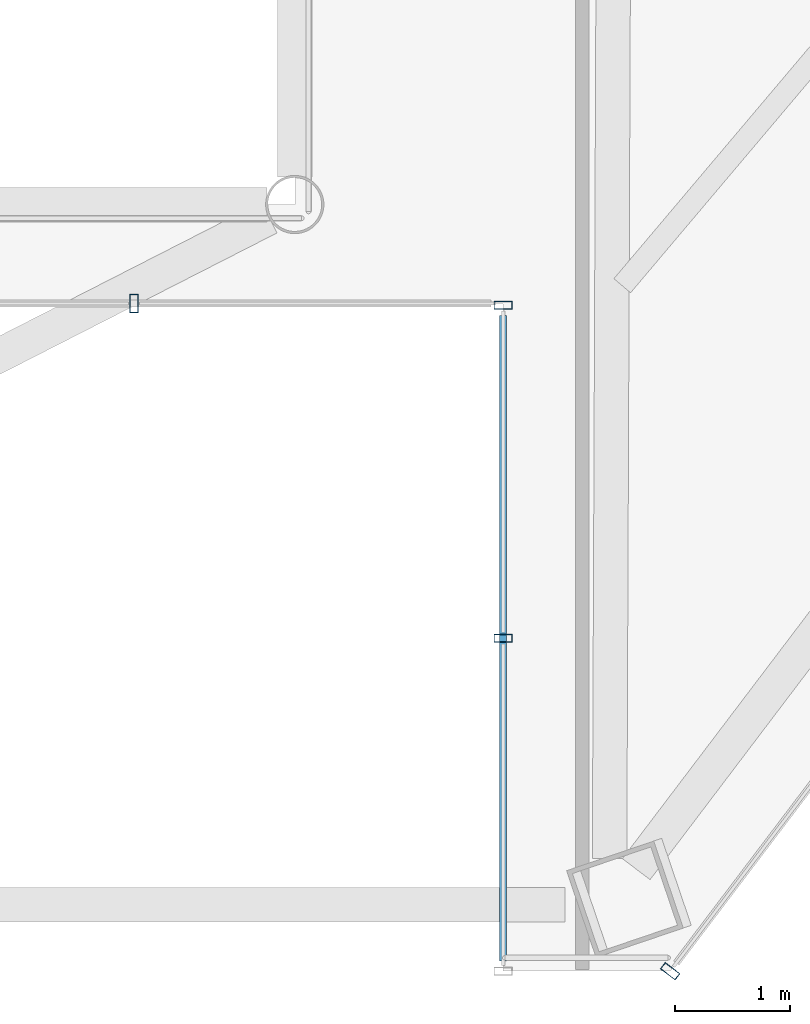
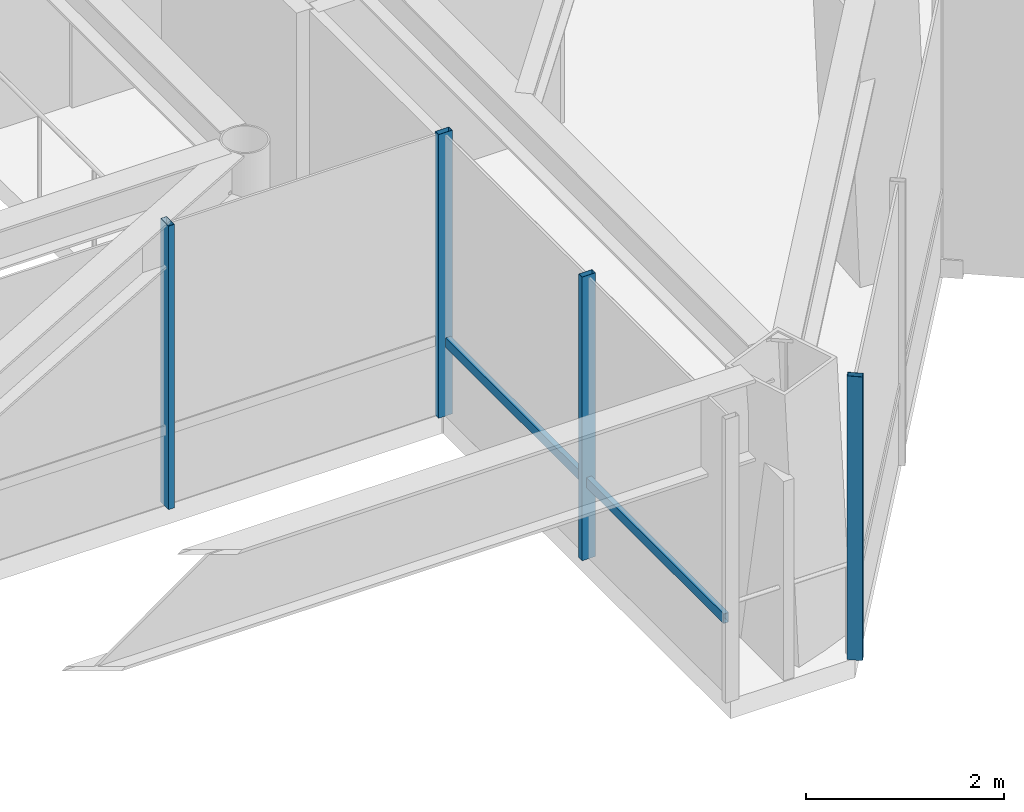
# One storey, part 9 of 30: 5 members, 3 elements without a shape of their own.
"""IFC4 building model written with IfcOpenShell, lengths in metres."""

from ifc_helpers import new_model, si_unit, direction, frame, origin, origin_2d, place, context, subcontext, project, spatial, hollow_rectangle, extrude, material, layer, layer_set, material_profile, profile_set, type_object, element, aggregate, save


model = new_model("IFC4")

# Units and contexts
model_context = context("Model", 3, precision=1e-05, world=origin(), true_north=direction((0.0, 1.0)))
body_context = subcontext(model_context, "Body", "Model", "MODEL_VIEW")
ifc_project = project(units=[si_unit("LENGTHUNIT", "METRE"), si_unit("AREAUNIT", "SQUARE_METRE"), si_unit("VOLUMEUNIT", "CUBIC_METRE"), si_unit("PLANEANGLEUNIT", "RADIAN"), si_unit("MASSUNIT", "GRAM", prefix="KILO")], contexts=[model_context])

# Site, building, storey
site_placement = place(None, origin())
site = spatial("IfcSite", under=ifc_project, at=site_placement, CompositionType="ELEMENT")
building_placement = place(site_placement, origin())
building = spatial("IfcBuilding", under=site, at=building_placement, Name="Zarrinselat Tower", CompositionType="ELEMENT")
storey_placement = place(building_placement, frame((0.0, 0.0, 160.820068359375)))
storey = spatial("IfcBuildingStorey", under=building, at=storey_placement, Name="L39", CompositionType="ELEMENT", Elevation=160.820068359375)

# Curtain wall, member
ifc_material_1 = material(Name="Extruded Aluminium Alloy EN AW-6063 T6", Category="aluminium")
ifc_layer_1 = layer(ifc_material_1, 0.175048828125)
ifc_layer_set_1 = layer_set([ifc_layer_1], Name="Extruded Aluminium Alloy EN AW-6063 T6")
curtain_wall_type_1 = type_object("IfcCurtainWallType", Name="CWS-HTL", PredefinedType="NOTDEFINED", material=ifc_layer_set_1)
curtain_wall_1_placement = place(storey_placement, origin())
curtain_wall_1 = element("IfcCurtainWall", 1, at=curtain_wall_1_placement, inside=storey, type_object=curtain_wall_type_1, Name="L39 Unitised Curtain Wall CW-L39-E05", PredefinedType="NOTDEFINED")
ifc_material_2 = material(Name="Extruded Aluminium Alloy EN AW-6063 T6", Category="aluminium")
ifc_material_profile_1 = material_profile(ifc_material_2, hollow_rectangle(XDim=0.070068359375, YDim=0.159912109375, WallThickness=0.00390625, at=origin_2d()), Name="RHS 160x70x4")
ifc_profile_set_1 = profile_set([ifc_material_profile_1], Name="Extruded Aluminium Alloy EN AW-6063 T6")
member_type_1 = type_object("IfcMemberType", Name="MEM-CW-MUL2", PredefinedType="MULLION", material=ifc_profile_set_1)
member_1_placement = place(storey_placement, frame((46.268798828125, 17.723388671875, 0.0), z_axis=(0.0, 0.0, 1.0), x_axis=(-0.603858522722, -0.797091515785, 0.0)))
member_1 = element("IfcMember", 2, at=member_1_placement, type_object=member_type_1, Name="CW-L39-E05 Mullion 9", PredefinedType="MULLION", context=body_context, shape_type="SweptSolid", body=[
    extrude(hollow_rectangle(XDim=0.070068359375, YDim=0.159912109375, WallThickness=0.00390625, at=origin_2d()), origin(), (0.0, 0.0, 1.0), 3.5),
])
aggregate(curtain_wall_1, [member_1])

# Curtain wall, members
ifc_material_3 = material(Name="Extruded Aluminium Alloy EN AW-6063 T6", Category="aluminium")
ifc_layer_2 = layer(ifc_material_3, 0.18994140625)
ifc_layer_set_2 = layer_set([ifc_layer_2], Name="Extruded Aluminium Alloy EN AW-6063 T6")
curtain_wall_type_2 = type_object("IfcCurtainWallType", Name="CWS-SG", PredefinedType="NOTDEFINED", material=ifc_layer_set_2)
curtain_wall_2_placement = place(storey_placement, origin())
curtain_wall_2 = element("IfcCurtainWall", 3, at=curtain_wall_2_placement, inside=storey, type_object=curtain_wall_type_2, Name="L39 Unitised Curtain Wall CW-L39-E07", PredefinedType="NOTDEFINED")
member_2_placement = place(storey_placement, frame((44.81494140625, 20.623291015625, 0.0), z_axis=(0.0, 0.0, 1.0), x_axis=(0.0, 1.0, 0.0)))
member_2 = element("IfcMember", 4, at=member_2_placement, type_object=member_type_1, Name="CW-L39-E07 Mullion 1", PredefinedType="MULLION", context=body_context, shape_type="SweptSolid", body=[
    extrude(hollow_rectangle(XDim=0.070068359375, YDim=0.159912109375, WallThickness=0.00390625, at=origin_2d()), origin(), (0.0, 0.0, 1.0), 3.5),
])
member_3_placement = place(storey_placement, frame((44.81494140625, 23.5234375, 0.0), z_axis=(0.0, 0.0, 1.0), x_axis=(0.0, 1.0, 0.0)))
member_3 = element("IfcMember", 5, at=member_3_placement, type_object=member_type_1, Name="CW-L39-E07 Mullion 2", PredefinedType="MULLION", context=body_context, shape_type="SweptSolid", body=[
    extrude(hollow_rectangle(XDim=0.070068359375, YDim=0.159912109375, WallThickness=0.00390625, at=origin_2d()), origin(), (0.0, 0.0, 1.0), 3.5),
])

# Curtain wall, member
curtain_wall_3_placement = place(storey_placement, origin())
curtain_wall_3 = element("IfcCurtainWall", 6, at=curtain_wall_3_placement, inside=storey, type_object=curtain_wall_type_2, Name="L39 Unitised Curtain Wall CW-L39-E24", PredefinedType="NOTDEFINED")
member_4_placement = place(storey_placement, frame((41.60009765625, 23.538330078125, 0.0), z_axis=(0.0, 0.0, 1.0), x_axis=(-1.0, 0.0, 0.0)))
member_4 = element("IfcMember", 7, at=member_4_placement, type_object=member_type_1, Name="CW-L39-E24 Mullion 1", PredefinedType="MULLION", context=body_context, shape_type="SweptSolid", body=[
    extrude(hollow_rectangle(XDim=0.070068359375, YDim=0.159912109375, WallThickness=0.00390625, at=origin_2d()), origin(), (0.0, 0.0, 1.0), 3.5),
])
aggregate(curtain_wall_3, [member_4])

# Member
ifc_material_4 = material(Name="Extruded Aluminium Alloy EN AW-6063 T6", Category="aluminium")
ifc_material_profile_2 = material_profile(ifc_material_4, hollow_rectangle(XDim=0.06005859375, YDim=0.1201171875, WallThickness=0.00390625, at=origin_2d()), Name="RHS 120x60x4")
ifc_profile_set_2 = profile_set([ifc_material_profile_2], Name="Extruded Aluminium Alloy EN AW-6063 T6")
member_type_2 = type_object("IfcMemberType", Name="MEM-CW-TRN2", PredefinedType="USERDEFINED", material=ifc_profile_set_2)
member_5_placement = place(storey_placement, frame((44.81494140625, 17.8134765625, 0.949951171875), z_axis=(0.0, 1.0, 0.0), x_axis=(-1.0, 0.0, 0.0)))
member_5 = element("IfcMember", 8, at=member_5_placement, type_object=member_type_2, Name="CW-L39-E07 Transom 1", ObjectType="TRANSOM", PredefinedType="USERDEFINED", context=body_context, shape_type="SweptSolid", body=[
    extrude(hollow_rectangle(XDim=0.06005859375, YDim=0.1201171875, WallThickness=0.00390625, at=origin_2d()), origin(), (0.0, 0.0, 1.0), 5.619873046875),
])

aggregate(curtain_wall_2, [member_2, member_3, member_5])

save(model, "model.ifc")
